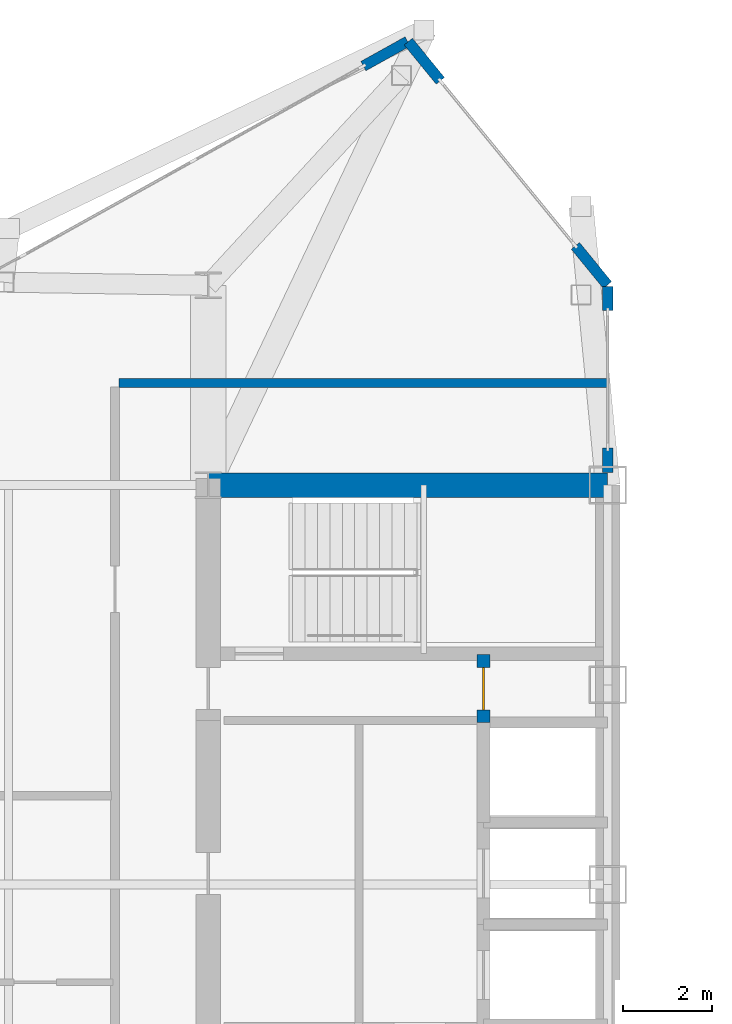
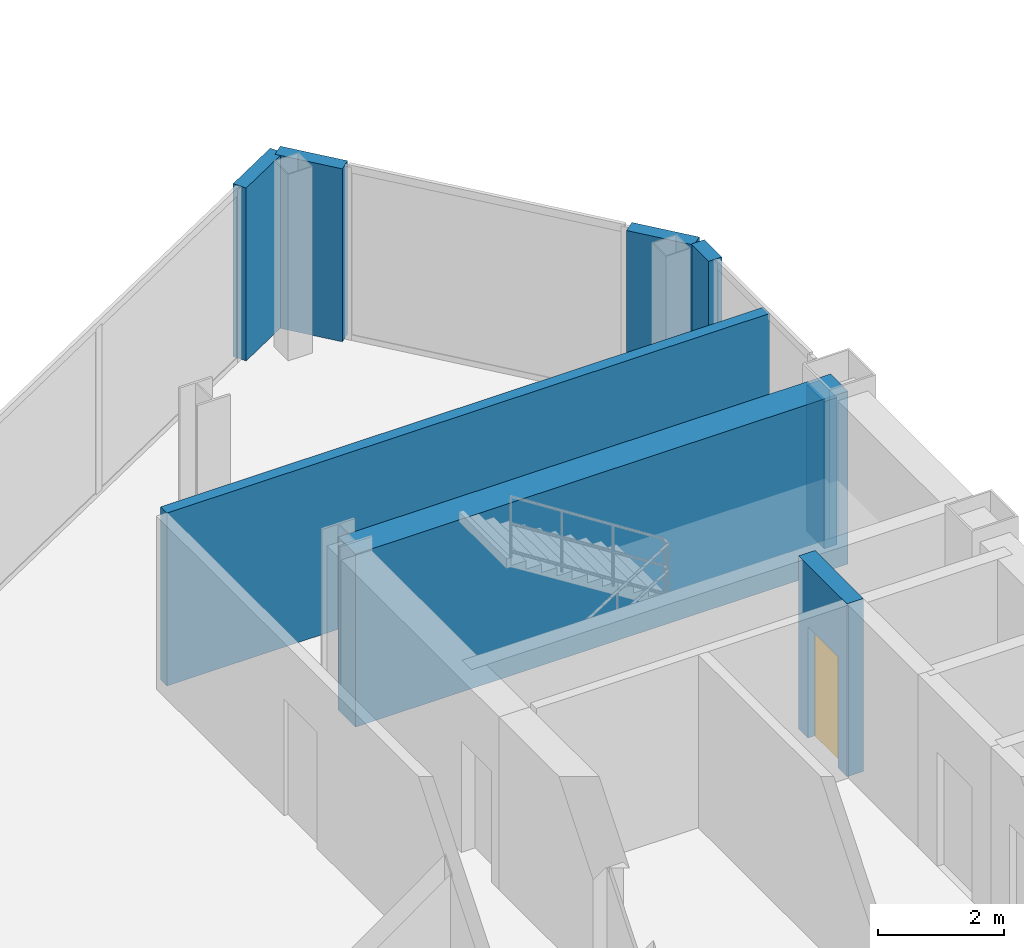
# One storey, part 22 of 28: 8 walls, 1 door, 1 opening.
"""IFC4 building model written with IfcOpenShell, lengths in metres."""

from ifc_helpers import new_model, si_unit, direction, frame, frame_2d, origin, place, context, subcontext, project, spatial, rectangle, extrude, source, transform, mapped, material, layer, layer_set, type_object, type_shapes, element, fill, save


model = new_model("IFC4")

# Units and contexts
model_context = context("Model", 3, precision=1e-05, world=origin(), true_north=direction((0.0, 1.0)))
body_context = subcontext(model_context, "Body", "Model", "MODEL_VIEW")
ifc_project = project(units=[si_unit("LENGTHUNIT", "METRE"), si_unit("AREAUNIT", "SQUARE_METRE"), si_unit("VOLUMEUNIT", "CUBIC_METRE"), si_unit("PLANEANGLEUNIT", "RADIAN"), si_unit("MASSUNIT", "GRAM", prefix="KILO")], contexts=[model_context])

# Site, building, storey
site_placement = place(None, origin())
site = spatial("IfcSite", under=ifc_project, at=site_placement, CompositionType="ELEMENT")
building_placement = place(site_placement, origin())
building = spatial("IfcBuilding", under=site, at=building_placement, Name="Seokmaru Belvedere", CompositionType="ELEMENT")
storey_placement = place(building_placement, frame((0.0, 0.0, 158.39990234375)))
storey = spatial("IfcBuildingStorey", under=building, at=storey_placement, Name="L42", CompositionType="ELEMENT", Elevation=158.39990234375)

# Wall
ifc_material_1 = material(Name="Fire-Rated Gypsum Shaftwall")
ifc_layer_1 = layer(ifc_material_1, 0.199951171875)
ifc_layer_set_1 = layer_set([ifc_layer_1], Name="Fire-Rated Gypsum Shaftwall")
wall_type_1 = type_object("IfcWallType", Name="Inter-Tenancy Fire Compartment Partition 200", PredefinedType="PARTITIONING", material=ifc_layer_set_1)
wall_1_placement = place(storey_placement, frame((-38.514892578125, 15.800048828125, 0.0), z_axis=(0.0, 0.0, 1.0), x_axis=(1.0, 0.0, 0.0)))
element("IfcWall", 1, at=wall_1_placement, inside=storey, type_object=wall_type_1, Name="L42 Interior Partition 019", PredefinedType="PARTITIONING", context=body_context, shape_type="SweptSolid", body=[
    extrude(rectangle(XDim=11.014892578125, YDim=0.199951171875, at=frame_2d((5.50732421875, 0.0))), origin(), (0.0, 0.0, 1.0), 3.340087890625),
])

# Wall, opening, door
ifc_material_2 = material(Name="Concrete C50 (50 MPa)", Category="concrete")
ifc_layer_2 = layer(ifc_material_2, 0.300048828125)
ifc_layer_set_2 = layer_set([ifc_layer_2], Name="Concrete C50 (50 MPa)")
wall_type_2 = type_object("IfcWallType", Name="Internal Core Stair and Hoistway Wall 300", PredefinedType="SHEAR", material=ifc_layer_set_2)
wall_2_placement = place(storey_placement, frame((-30.300048828125, 8.14990234375, 0.0), z_axis=(0.0, 0.0, 1.0), x_axis=(0.0, 1.0, 0.0)))
wall_2 = element("IfcWall", 2, at=wall_2_placement, inside=storey, type_object=wall_type_2, Name="L42 West Electrical Riser Front Wall", PredefinedType="SHEAR", context=body_context, shape_type="SweptSolid", body=[
    extrude(rectangle(XDim=1.530029296875, YDim=0.300048828125, at=frame_2d((0.76513671875, 0.0))), origin(), (0.0, 0.0, 1.0), 3.340087890625),
])
opening_placement = place(wall_2_placement, frame((0.284912109375, 0.0, 0.0)))
opening = element("IfcOpeningElement", 3, at=opening_placement, cuts=wall_2, Name="Opening D04", PredefinedType="OPENING", context=body_context, shape_type="SweptSolid", body=[
    extrude(rectangle(XDim=0.949951171875, YDim=2.14990234375, at=frame_2d((0.47509765625, 1.074951171875))), frame((0.0, 0.16015625, 0.0), z_axis=(0.0, -1.0, 0.0), x_axis=(1.0, 0.0, 0.0)), (0.0, 0.0, 1.0), 0.320068359375),
])
ifc_material_3 = material(Name="Fire-Rated Steel Leaf", Category="steel")
door_type = type_object("IfcDoorType", Name="Core Service Room Fire Door 950x2150", OperationType="NOTDEFINED", PredefinedType="DOOR", material=ifc_material_3)
shared_shape = source(origin(), body_context, "Body", "SweptSolid", [
    extrude(rectangle(XDim=0.949951171875, YDim=2.14990234375, at=frame_2d((0.47509765625, 1.074951171875))), frame((0.0, 0.02490234375, 0.0), z_axis=(0.0, -1.0, 0.0), x_axis=(1.0, 0.0, 0.0)), (0.0, 0.0, 1.0), 0.050048828125),
])
type_shapes(door_type, [shared_shape])
door_placement = place(opening_placement, origin())
door = element("IfcDoor", 4, at=door_placement, inside=storey, type_object=door_type, Name="L42 West Electrical Riser Access Door", OperationType="SINGLE_SWING_LEFT", OverallHeight=2.14990234375, OverallWidth=0.949951171875, PredefinedType="DOOR", context=body_context, shape_type="MappedRepresentation", body=[
    mapped(shared_shape, transform((0.0, 0.0, 0.0), scale=1.0)),
])
fill(opening, door)

# Walls
ifc_layer_3 = layer(ifc_material_2, 0.550048828125)
ifc_layer_set_3 = layer_set([ifc_layer_3], Name="Concrete C50 (50 MPa)")
wall_type_3 = type_object("IfcWallType", Name="Mid-High Reinforced Concrete Core Wall 550", PredefinedType="SHEAR", material=ifc_layer_set_3)
wall_3_placement = place(storey_placement, frame((-36.5, 13.5, 0.0), z_axis=(0.0, 0.0, 1.0), x_axis=(1.0, 0.0, 0.0)))
element("IfcWall", 5, at=wall_3_placement, inside=storey, type_object=wall_type_3, Name="L42 West North Core Wall", PredefinedType="SHEAR", context=body_context, shape_type="SweptSolid", body=[
    extrude(rectangle(XDim=9.0, YDim=0.550048828125, at=frame_2d((4.5, 0.0))), origin(), (0.0, 0.0, 1.0), 3.340087890625),
])
ifc_material_4 = material(Name="Anodised Bronze Aluminium", Category="aluminium")
ifc_layer_4 = layer(ifc_material_4, 0.239990234375)
ifc_layer_set_4 = layer_set([ifc_layer_4], Name="Anodised Bronze Aluminium")
wall_type_4 = type_object("IfcWallType", Name="Tower Corner Spandrel Closure Wall 240", PredefinedType="SOLIDWALL", material=ifc_layer_set_4)
wall_4_placement = place(storey_placement, frame((-27.5, 13.780029296875, 0.0), z_axis=(0.0, 0.0, 1.0), x_axis=(0.0, 1.0, 0.0)))
element("IfcWall", 6, at=wall_4_placement, inside=storey, type_object=wall_type_4, Name="L42 W Spine Closure Pier 2A", PredefinedType="SOLIDWALL", context=body_context, shape_type="SweptSolid", body=[
    extrude(rectangle(XDim=0.550048828125, YDim=0.239990234375, at=frame_2d((0.27490234375, 0.0))), origin(), (0.0, 0.0, 1.0), 2.840087890625),
])
wall_5_placement = place(storey_placement, frame((-27.5, 17.429931640625, 0.0), z_axis=(0.0, 0.0, 1.0), x_axis=(0.0, 1.0, 0.0)))
element("IfcWall", 7, at=wall_5_placement, inside=storey, type_object=wall_type_4, Name="L42 W Spine Closure Pier 2B", PredefinedType="SOLIDWALL", context=body_context, shape_type="SweptSolid", body=[
    extrude(rectangle(XDim=0.550048828125, YDim=0.239990234375, at=frame_2d((0.27490234375, 0.0))), origin(), (0.0, 0.0, 1.0), 3.340087890625),
])
for number, where, z_axis, x_axis, name in (
    (8, (-27.50634765625, 18.0078125, 0.0), (0.0, 0.0, 1.0), (-0.633249451965, 0.77394775766, 0.0), "L42 W Corner Closure Pier 2A"),
    (9, (-31.271728515625, 22.60986328125, 0.0), (0.0, 0.0, 1.0), (-0.633249451965, 0.77394775766, 0.0), "L42 W Corner Closure Pier 2B"),
):
    element("IfcWall", number, at=place(storey_placement, frame(where, z_axis=z_axis, x_axis=x_axis)), inside=storey, type_object=wall_type_4, Name=name, PredefinedType="SOLIDWALL", context=body_context, shape_type="SweptSolid", body=[
        extrude(rectangle(XDim=1.14013671875, YDim=0.239990234375, at=frame_2d((0.570068359375, 0.0))), origin(), (0.0, 0.0, 1.0), 3.340087890625),
    ])
wall_6_placement = place(storey_placement, frame((-32.0087890625, 23.4951171875, 0.0), z_axis=(0.0, 0.0, 1.0), x_axis=(-0.87385402111, -0.486188389196, 0.0)))
element("IfcWall", 10, at=wall_6_placement, inside=storey, type_object=wall_type_4, Name="L42 W Corner Closure Pier 3A", PredefinedType="SOLIDWALL", context=body_context, shape_type="SweptSolid", body=[
    extrude(rectangle(XDim=1.139892578125, YDim=0.239990234375, at=frame_2d((0.56982421875, 0.0))), origin(), (0.0, 0.0, 1.0), 3.340087890625),
])

save(model, "model.ifc")
